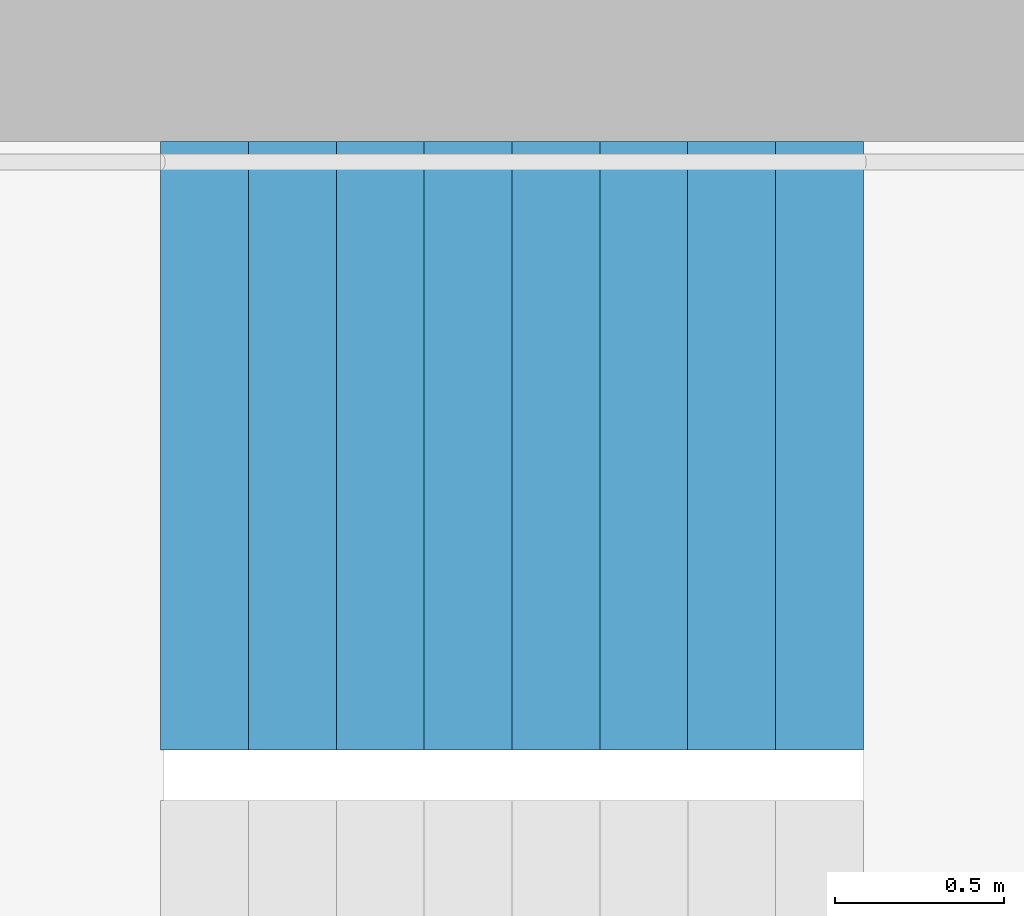
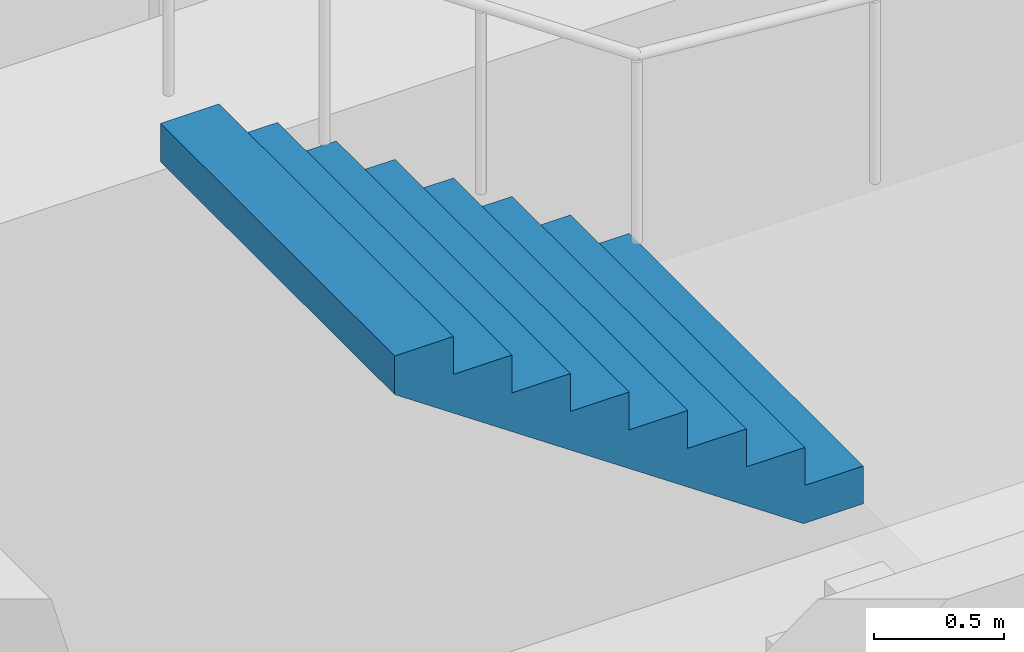
# One storey, part 23 of 34: 1 stair flight, 1 element without a shape of its own.
"""IFC4 building model written with IfcOpenShell, lengths in metres."""

from ifc_helpers import new_model, si_unit, direction, frame, origin, place, context, subcontext, project, spatial, triangles, material, type_object, element, aggregate, save


model = new_model("IFC4")

# Units and contexts
model_context = context("Model", 3, precision=1e-05, world=origin(), true_north=direction((0.0, 1.0)))
body_context = subcontext(model_context, "Body", "Model", "MODEL_VIEW")
ifc_project = project(units=[si_unit("LENGTHUNIT", "METRE"), si_unit("AREAUNIT", "SQUARE_METRE"), si_unit("VOLUMEUNIT", "CUBIC_METRE"), si_unit("PLANEANGLEUNIT", "RADIAN"), si_unit("MASSUNIT", "GRAM", prefix="KILO")], contexts=[model_context])

# Site, building, storey
site_placement = place(None, origin())
site = spatial("IfcSite", under=ifc_project, at=site_placement, CompositionType="ELEMENT")
building_placement = place(site_placement, origin())
building = spatial("IfcBuilding", under=site, at=building_placement, Name="Hakoniwa Tower and Hamabe Station Hall", CompositionType="ELEMENT")
storey_placement = place(building_placement, frame((0.0, 0.0, 94.60009765625)))
storey = spatial("IfcBuildingStorey", under=building, at=storey_placement, Name="L26", CompositionType="ELEMENT", Elevation=94.60009765625)

# Stair, stair flight
ifc_material_1 = material(Name="Concrete C40", Category="concrete")
stair_type = type_object("IfcStairType", Name="ESCAPE STAIR 1800", PredefinedType="HALF_TURN_STAIR", material=ifc_material_1)
stair_placement = place(storey_placement, origin())
stair = element("IfcStair", 1, at=stair_placement, inside=storey, type_object=stair_type, Name="Escape stair ST-1 L26", PredefinedType="HALF_TURN_STAIR")
ifc_material_2 = material(Name="Concrete C40", Category="concrete")
stair_flight_type = type_object("IfcStairFlightType", Name="STAIR FLIGHT 1800", PredefinedType="STRAIGHT", material=ifc_material_2)
stair_flight_placement = place(storey_placement, frame((-22.320068359375, 6.60009765625, 1.599853515625), z_axis=(0.0, 0.0, 1.0), x_axis=(-1.0, 0.0, 0.0)))
stair_flight = element("IfcStairFlight", 2, at=stair_flight_placement, type_object=stair_flight_type, Name="ST-1 flight 2", NumberOfRisers=9, NumberOfTreads=8, PredefinedType="STRAIGHT", RiserHeight=0.177777778, TreadLength=0.26, context=body_context, shape_type="Tessellation", body=[
    triangles([(0.0, 0.89990234375, 0.0), (0.260009765625, 0.89990234375, 0.0), (0.265625, 0.89990234375, 0.0), (0.52001953125, 0.89990234375, 0.174072265625), (0.780029296875, 0.89990234375, 0.351806640625), (1.0400390625, 0.89990234375, 0.529541015625), (1.300048828125, 0.89990234375, 0.707275390625), (1.56005859375, 0.89990234375, 0.885009765625), (1.820068359375, 0.89990234375, 1.062744140625), (2.080078125, 0.89990234375, 1.24072265625), (2.080078125, 0.89990234375, 1.422119140625), (1.820068359375, 0.89990234375, 1.422119140625), (1.820068359375, 0.89990234375, 1.244384765625), (1.56005859375, 0.89990234375, 1.244384765625), (1.56005859375, 0.89990234375, 1.066650390625), (1.300048828125, 0.89990234375, 1.066650390625), (1.300048828125, 0.89990234375, 0.888916015625), (1.0400390625, 0.89990234375, 0.888916015625), (1.0400390625, 0.89990234375, 0.711181640625), (0.780029296875, 0.89990234375, 0.711181640625), (0.780029296875, 0.89990234375, 0.533447265625), (0.52001953125, 0.89990234375, 0.533447265625), (0.52001953125, 0.89990234375, 0.35546875), (0.265625, 0.89990234375, 0.35546875), (0.260009765625, 0.89990234375, 0.35546875), (0.260009765625, 0.89990234375, 0.177734375), (0.0, 0.89990234375, 0.177734375), (0.0, 0.06005859375, 0.0), (0.260009765625, 0.06005859375, 0.0), (0.265625, 0.06005859375, 0.0), (0.52001953125, 0.06005859375, 0.174072265625), (0.780029296875, 0.06005859375, 0.351806640625), (1.0400390625, 0.06005859375, 0.529541015625), (1.300048828125, 0.06005859375, 0.707275390625), (1.56005859375, 0.06005859375, 0.885009765625), (1.820068359375, 0.06005859375, 1.062744140625), (2.080078125, 0.06005859375, 1.24072265625), (2.080078125, 0.06005859375, 1.422119140625), (1.820068359375, 0.06005859375, 1.422119140625), (1.820068359375, 0.06005859375, 1.244384765625), (1.56005859375, 0.06005859375, 1.244384765625), (1.56005859375, 0.06005859375, 1.066650390625), (1.300048828125, 0.06005859375, 1.066650390625), (1.300048828125, 0.06005859375, 0.888916015625), (1.0400390625, 0.06005859375, 0.888916015625), (1.0400390625, 0.06005859375, 0.711181640625), (0.780029296875, 0.06005859375, 0.711181640625), (0.780029296875, 0.06005859375, 0.533447265625), (0.52001953125, 0.06005859375, 0.533447265625), (0.52001953125, 0.06005859375, 0.35546875), (0.265625, 0.06005859375, 0.35546875), (0.260009765625, 0.06005859375, 0.35546875), (0.260009765625, 0.06005859375, 0.177734375), (0.0, 0.06005859375, 0.177734375), (0.0, 0.04296875, 0.0), (0.260009765625, 0.04296875, 0.0), (0.265625, 0.04296875, 0.0), (0.52001953125, 0.04296875, 0.174072265625), (0.780029296875, 0.04296875, 0.351806640625), (1.0400390625, 0.04296875, 0.529541015625), (1.300048828125, 0.04296875, 0.707275390625), (1.56005859375, 0.04296875, 0.885009765625), (1.820068359375, 0.04296875, 1.062744140625), (2.080078125, 0.04296875, 1.24072265625), (2.080078125, 0.04296875, 1.422119140625), (1.820068359375, 0.04296875, 1.422119140625), (1.820068359375, 0.04296875, 1.244384765625), (1.56005859375, 0.04296875, 1.244384765625), (1.56005859375, 0.04296875, 1.066650390625), (1.300048828125, 0.04296875, 1.066650390625), (1.300048828125, 0.04296875, 0.888916015625), (1.0400390625, 0.04296875, 0.888916015625), (1.0400390625, 0.04296875, 0.711181640625), (0.780029296875, 0.04296875, 0.711181640625), (0.780029296875, 0.04296875, 0.533447265625), (0.52001953125, 0.04296875, 0.533447265625), (0.52001953125, 0.04296875, 0.35546875), (0.265625, 0.04296875, 0.35546875), (0.260009765625, 0.04296875, 0.35546875), (0.260009765625, 0.04296875, 0.177734375), (0.0, 0.04296875, 0.177734375), (0.0, 0.025634765625, 0.0), (0.260009765625, 0.025634765625, 0.0), (0.265625, 0.025634765625, 0.0), (0.52001953125, 0.025634765625, 0.174072265625), (0.780029296875, 0.025634765625, 0.351806640625), (1.0400390625, 0.025634765625, 0.529541015625), (1.300048828125, 0.025634765625, 0.707275390625), (1.56005859375, 0.025634765625, 0.885009765625), (1.820068359375, 0.025634765625, 1.062744140625), (2.080078125, 0.025634765625, 1.24072265625), (2.080078125, 0.025634765625, 1.422119140625), (1.820068359375, 0.025634765625, 1.422119140625), (1.820068359375, 0.025634765625, 1.244384765625), (1.56005859375, 0.025634765625, 1.244384765625), (1.56005859375, 0.025634765625, 1.066650390625), (1.300048828125, 0.025634765625, 1.066650390625), (1.300048828125, 0.025634765625, 0.888916015625), (1.0400390625, 0.025634765625, 0.888916015625), (1.0400390625, 0.025634765625, 0.711181640625), (0.780029296875, 0.025634765625, 0.711181640625), (0.780029296875, 0.025634765625, 0.533447265625), (0.52001953125, 0.025634765625, 0.533447265625), (0.52001953125, 0.025634765625, 0.35546875), (0.265625, 0.025634765625, 0.35546875), (0.260009765625, 0.025634765625, 0.35546875), (0.260009765625, 0.025634765625, 0.177734375), (0.0, 0.025634765625, 0.177734375), (0.0, 0.008544921875, 0.0), (0.260009765625, 0.008544921875, 0.0), (0.265625, 0.008544921875, 0.0), (0.52001953125, 0.008544921875, 0.174072265625), (0.780029296875, 0.008544921875, 0.351806640625), (1.0400390625, 0.008544921875, 0.529541015625), (1.300048828125, 0.008544921875, 0.707275390625), (1.56005859375, 0.008544921875, 0.885009765625), (1.820068359375, 0.008544921875, 1.062744140625), (2.080078125, 0.008544921875, 1.24072265625), (2.080078125, 0.008544921875, 1.422119140625), (1.820068359375, 0.008544921875, 1.422119140625), (1.820068359375, 0.008544921875, 1.244384765625), (1.56005859375, 0.008544921875, 1.244384765625), (1.56005859375, 0.008544921875, 1.066650390625), (1.300048828125, 0.008544921875, 1.066650390625), (1.300048828125, 0.008544921875, 0.888916015625), (1.0400390625, 0.008544921875, 0.888916015625), (1.0400390625, 0.008544921875, 0.711181640625), (0.780029296875, 0.008544921875, 0.711181640625), (0.780029296875, 0.008544921875, 0.533447265625), (0.52001953125, 0.008544921875, 0.533447265625), (0.52001953125, 0.008544921875, 0.35546875), (0.265625, 0.008544921875, 0.35546875), (0.260009765625, 0.008544921875, 0.35546875), (0.260009765625, 0.008544921875, 0.177734375), (0.0, 0.008544921875, 0.177734375), (0.0, -0.008544921875, 0.0), (0.260009765625, -0.008544921875, 0.0), (0.265625, -0.008544921875, 0.0), (0.52001953125, -0.008544921875, 0.174072265625), (0.780029296875, -0.008544921875, 0.351806640625), (1.0400390625, -0.008544921875, 0.529541015625), (1.300048828125, -0.008544921875, 0.707275390625), (1.56005859375, -0.008544921875, 0.885009765625), (1.820068359375, -0.008544921875, 1.062744140625), (2.080078125, -0.008544921875, 1.24072265625), (2.080078125, -0.008544921875, 1.422119140625), (1.820068359375, -0.008544921875, 1.422119140625), (1.820068359375, -0.008544921875, 1.244384765625), (1.56005859375, -0.008544921875, 1.244384765625), (1.56005859375, -0.008544921875, 1.066650390625), (1.300048828125, -0.008544921875, 1.066650390625), (1.300048828125, -0.008544921875, 0.888916015625), (1.0400390625, -0.008544921875, 0.888916015625), (1.0400390625, -0.008544921875, 0.711181640625), (0.780029296875, -0.008544921875, 0.711181640625), (0.780029296875, -0.008544921875, 0.533447265625), (0.52001953125, -0.008544921875, 0.533447265625), (0.52001953125, -0.008544921875, 0.35546875), (0.265625, -0.008544921875, 0.35546875), (0.260009765625, -0.008544921875, 0.35546875), (0.260009765625, -0.008544921875, 0.177734375), (0.0, -0.008544921875, 0.177734375), (0.0, -0.025634765625, 0.0), (0.260009765625, -0.025634765625, 0.0), (0.265625, -0.025634765625, 0.0), (0.52001953125, -0.025634765625, 0.174072265625), (0.780029296875, -0.025634765625, 0.351806640625), (1.0400390625, -0.025634765625, 0.529541015625), (1.300048828125, -0.025634765625, 0.707275390625), (1.56005859375, -0.025634765625, 0.885009765625), (1.820068359375, -0.025634765625, 1.062744140625), (2.080078125, -0.025634765625, 1.24072265625), (2.080078125, -0.025634765625, 1.422119140625), (1.820068359375, -0.025634765625, 1.422119140625), (1.820068359375, -0.025634765625, 1.244384765625), (1.56005859375, -0.025634765625, 1.244384765625), (1.56005859375, -0.025634765625, 1.066650390625), (1.300048828125, -0.025634765625, 1.066650390625), (1.300048828125, -0.025634765625, 0.888916015625), (1.0400390625, -0.025634765625, 0.888916015625), (1.0400390625, -0.025634765625, 0.711181640625), (0.780029296875, -0.025634765625, 0.711181640625), (0.780029296875, -0.025634765625, 0.533447265625), (0.52001953125, -0.025634765625, 0.533447265625), (0.52001953125, -0.025634765625, 0.35546875), (0.265625, -0.025634765625, 0.35546875), (0.260009765625, -0.025634765625, 0.35546875), (0.260009765625, -0.025634765625, 0.177734375), (0.0, -0.025634765625, 0.177734375), (0.0, -0.04296875, 0.0), (0.260009765625, -0.04296875, 0.0), (0.265625, -0.04296875, 0.0), (0.52001953125, -0.04296875, 0.174072265625), (0.780029296875, -0.04296875, 0.351806640625), (1.0400390625, -0.04296875, 0.529541015625), (1.300048828125, -0.04296875, 0.707275390625), (1.56005859375, -0.04296875, 0.885009765625), (1.820068359375, -0.04296875, 1.062744140625), (2.080078125, -0.04296875, 1.24072265625), (2.080078125, -0.04296875, 1.422119140625), (1.820068359375, -0.04296875, 1.422119140625), (1.820068359375, -0.04296875, 1.244384765625), (1.56005859375, -0.04296875, 1.244384765625), (1.56005859375, -0.04296875, 1.066650390625), (1.300048828125, -0.04296875, 1.066650390625), (1.300048828125, -0.04296875, 0.888916015625), (1.0400390625, -0.04296875, 0.888916015625), (1.0400390625, -0.04296875, 0.711181640625), (0.780029296875, -0.04296875, 0.711181640625), (0.780029296875, -0.04296875, 0.533447265625), (0.52001953125, -0.04296875, 0.533447265625), (0.52001953125, -0.04296875, 0.35546875), (0.265625, -0.04296875, 0.35546875), (0.260009765625, -0.04296875, 0.35546875), (0.260009765625, -0.04296875, 0.177734375), (0.0, -0.04296875, 0.177734375), (0.0, -0.06005859375, 0.0), (0.260009765625, -0.06005859375, 0.0), (0.265625, -0.06005859375, 0.0), (0.52001953125, -0.06005859375, 0.174072265625), (0.780029296875, -0.06005859375, 0.351806640625), (1.0400390625, -0.06005859375, 0.529541015625), (1.300048828125, -0.06005859375, 0.707275390625), (1.56005859375, -0.06005859375, 0.885009765625), (1.820068359375, -0.06005859375, 1.062744140625), (2.080078125, -0.06005859375, 1.24072265625), (2.080078125, -0.06005859375, 1.422119140625), (1.820068359375, -0.06005859375, 1.422119140625), (1.820068359375, -0.06005859375, 1.244384765625), (1.56005859375, -0.06005859375, 1.244384765625), (1.56005859375, -0.06005859375, 1.066650390625), (1.300048828125, -0.06005859375, 1.066650390625), (1.300048828125, -0.06005859375, 0.888916015625), (1.0400390625, -0.06005859375, 0.888916015625), (1.0400390625, -0.06005859375, 0.711181640625), (0.780029296875, -0.06005859375, 0.711181640625), (0.780029296875, -0.06005859375, 0.533447265625), (0.52001953125, -0.06005859375, 0.533447265625), (0.52001953125, -0.06005859375, 0.35546875), (0.265625, -0.06005859375, 0.35546875), (0.260009765625, -0.06005859375, 0.35546875), (0.260009765625, -0.06005859375, 0.177734375), (0.0, -0.06005859375, 0.177734375), (0.0, -0.89990234375, 0.0), (0.260009765625, -0.89990234375, 0.0), (0.265625, -0.89990234375, 0.0), (0.52001953125, -0.89990234375, 0.174072265625), (0.780029296875, -0.89990234375, 0.351806640625), (1.0400390625, -0.89990234375, 0.529541015625), (1.300048828125, -0.89990234375, 0.707275390625), (1.56005859375, -0.89990234375, 0.885009765625), (1.820068359375, -0.89990234375, 1.062744140625), (2.080078125, -0.89990234375, 1.24072265625), (2.080078125, -0.89990234375, 1.422119140625), (1.820068359375, -0.89990234375, 1.422119140625), (1.820068359375, -0.89990234375, 1.244384765625), (1.56005859375, -0.89990234375, 1.244384765625), (1.56005859375, -0.89990234375, 1.066650390625), (1.300048828125, -0.89990234375, 1.066650390625), (1.300048828125, -0.89990234375, 0.888916015625), (1.0400390625, -0.89990234375, 0.888916015625), (1.0400390625, -0.89990234375, 0.711181640625), (0.780029296875, -0.89990234375, 0.711181640625), (0.780029296875, -0.89990234375, 0.533447265625), (0.52001953125, -0.89990234375, 0.533447265625), (0.52001953125, -0.89990234375, 0.35546875), (0.265625, -0.89990234375, 0.35546875), (0.260009765625, -0.89990234375, 0.35546875), (0.260009765625, -0.89990234375, 0.177734375), (0.0, -0.89990234375, 0.177734375)], [[2, 27, 26], [245, 269, 270], [2, 1, 27], [245, 270, 244], [3, 25, 24], [246, 267, 268], [3, 26, 25], [246, 268, 269], [3, 2, 26], [246, 269, 245], [4, 24, 23], [247, 266, 267], [4, 3, 24], [247, 267, 246], [5, 22, 21], [248, 264, 265], [5, 23, 22], [248, 265, 266], [5, 4, 23], [248, 266, 247], [6, 20, 19], [249, 262, 263], [6, 21, 20], [249, 263, 264], [6, 5, 21], [249, 264, 248], [7, 18, 17], [250, 260, 261], [7, 19, 18], [250, 261, 262], [7, 6, 19], [250, 262, 249], [8, 16, 15], [251, 258, 259], [8, 17, 16], [251, 259, 260], [8, 7, 17], [251, 260, 250], [9, 14, 13], [252, 256, 257], [9, 15, 14], [252, 257, 258], [9, 8, 15], [252, 258, 251], [10, 12, 11], [253, 254, 255], [10, 13, 12], [253, 255, 256], [10, 9, 13], [253, 256, 252], [1, 2, 29], [1, 29, 28], [28, 29, 56], [28, 56, 55], [55, 56, 83], [55, 83, 82], [82, 83, 110], [82, 110, 109], [109, 110, 137], [109, 137, 136], [136, 137, 164], [136, 164, 163], [163, 164, 191], [163, 191, 190], [190, 191, 218], [190, 218, 217], [217, 218, 245], [217, 245, 244], [2, 3, 30], [2, 30, 29], [29, 30, 57], [29, 57, 56], [56, 57, 84], [56, 84, 83], [83, 84, 111], [83, 111, 110], [110, 111, 138], [110, 138, 137], [137, 138, 165], [137, 165, 164], [164, 165, 192], [164, 192, 191], [191, 192, 219], [191, 219, 218], [218, 219, 246], [218, 246, 245], [3, 4, 31], [3, 31, 30], [30, 31, 58], [30, 58, 57], [57, 58, 85], [57, 85, 84], [84, 85, 112], [84, 112, 111], [111, 112, 139], [111, 139, 138], [138, 139, 166], [138, 166, 165], [165, 166, 193], [165, 193, 192], [192, 193, 220], [192, 220, 219], [219, 220, 247], [219, 247, 246], [4, 5, 32], [4, 32, 31], [31, 32, 59], [31, 59, 58], [58, 59, 86], [58, 86, 85], [85, 86, 113], [85, 113, 112], [112, 113, 140], [112, 140, 139], [139, 140, 167], [139, 167, 166], [166, 167, 194], [166, 194, 193], [193, 194, 221], [193, 221, 220], [220, 221, 248], [220, 248, 247], [5, 6, 33], [5, 33, 32], [32, 33, 60], [32, 60, 59], [59, 60, 87], [59, 87, 86], [86, 87, 114], [86, 114, 113], [113, 114, 141], [113, 141, 140], [140, 141, 168], [140, 168, 167], [167, 168, 195], [167, 195, 194], [194, 195, 222], [194, 222, 221], [221, 222, 249], [221, 249, 248], [6, 7, 34], [6, 34, 33], [33, 34, 61], [33, 61, 60], [60, 61, 88], [60, 88, 87], [87, 88, 115], [87, 115, 114], [114, 115, 142], [114, 142, 141], [141, 142, 169], [141, 169, 168], [168, 169, 196], [168, 196, 195], [195, 196, 223], [195, 223, 222], [222, 223, 250], [222, 250, 249], [7, 8, 35], [7, 35, 34], [34, 35, 62], [34, 62, 61], [61, 62, 89], [61, 89, 88], [88, 89, 116], [88, 116, 115], [115, 116, 143], [115, 143, 142], [142, 143, 170], [142, 170, 169], [169, 170, 197], [169, 197, 196], [196, 197, 224], [196, 224, 223], [223, 224, 251], [223, 251, 250], [8, 9, 36], [8, 36, 35], [35, 36, 63], [35, 63, 62], [62, 63, 90], [62, 90, 89], [89, 90, 117], [89, 117, 116], [116, 117, 144], [116, 144, 143], [143, 144, 171], [143, 171, 170], [170, 171, 198], [170, 198, 197], [197, 198, 225], [197, 225, 224], [224, 225, 252], [224, 252, 251], [9, 10, 37], [9, 37, 36], [36, 37, 64], [36, 64, 63], [63, 64, 91], [63, 91, 90], [90, 91, 118], [90, 118, 117], [117, 118, 145], [117, 145, 144], [144, 145, 172], [144, 172, 171], [171, 172, 199], [171, 199, 198], [198, 199, 226], [198, 226, 225], [225, 226, 253], [225, 253, 252], [10, 11, 38], [10, 38, 37], [37, 38, 65], [37, 65, 64], [64, 65, 92], [64, 92, 91], [91, 92, 119], [91, 119, 118], [118, 119, 146], [118, 146, 145], [145, 146, 173], [145, 173, 172], [172, 173, 200], [172, 200, 199], [199, 200, 227], [199, 227, 226], [226, 227, 254], [226, 254, 253], [11, 12, 39], [11, 39, 38], [38, 39, 66], [38, 66, 65], [65, 66, 93], [65, 93, 92], [92, 93, 120], [92, 120, 119], [119, 120, 147], [119, 147, 146], [146, 147, 174], [146, 174, 173], [173, 174, 201], [173, 201, 200], [200, 201, 228], [200, 228, 227], [227, 228, 255], [227, 255, 254], [12, 13, 40], [12, 40, 39], [39, 40, 67], [39, 67, 66], [66, 67, 94], [66, 94, 93], [93, 94, 121], [93, 121, 120], [120, 121, 148], [120, 148, 147], [147, 148, 175], [147, 175, 174], [174, 175, 202], [174, 202, 201], [201, 202, 229], [201, 229, 228], [228, 229, 256], [228, 256, 255], [13, 14, 41], [13, 41, 40], [40, 41, 68], [40, 68, 67], [67, 68, 95], [67, 95, 94], [94, 95, 122], [94, 122, 121], [121, 122, 149], [121, 149, 148], [148, 149, 176], [148, 176, 175], [175, 176, 203], [175, 203, 202], [202, 203, 230], [202, 230, 229], [229, 230, 257], [229, 257, 256], [14, 15, 42], [14, 42, 41], [41, 42, 69], [41, 69, 68], [68, 69, 96], [68, 96, 95], [95, 96, 123], [95, 123, 122], [122, 123, 150], [122, 150, 149], [149, 150, 177], [149, 177, 176], [176, 177, 204], [176, 204, 203], [203, 204, 231], [203, 231, 230], [230, 231, 258], [230, 258, 257], [15, 16, 43], [15, 43, 42], [42, 43, 70], [42, 70, 69], [69, 70, 97], [69, 97, 96], [96, 97, 124], [96, 124, 123], [123, 124, 151], [123, 151, 150], [150, 151, 178], [150, 178, 177], [177, 178, 205], [177, 205, 204], [204, 205, 232], [204, 232, 231], [231, 232, 259], [231, 259, 258], [16, 17, 44], [16, 44, 43], [43, 44, 71], [43, 71, 70], [70, 71, 98], [70, 98, 97], [97, 98, 125], [97, 125, 124], [124, 125, 152], [124, 152, 151], [151, 152, 179], [151, 179, 178], [178, 179, 206], [178, 206, 205], [205, 206, 233], [205, 233, 232], [232, 233, 260], [232, 260, 259], [17, 18, 45], [17, 45, 44], [44, 45, 72], [44, 72, 71], [71, 72, 99], [71, 99, 98], [98, 99, 126], [98, 126, 125], [125, 126, 153], [125, 153, 152], [152, 153, 180], [152, 180, 179], [179, 180, 207], [179, 207, 206], [206, 207, 234], [206, 234, 233], [233, 234, 261], [233, 261, 260], [18, 19, 46], [18, 46, 45], [45, 46, 73], [45, 73, 72], [72, 73, 100], [72, 100, 99], [99, 100, 127], [99, 127, 126], [126, 127, 154], [126, 154, 153], [153, 154, 181], [153, 181, 180], [180, 181, 208], [180, 208, 207], [207, 208, 235], [207, 235, 234], [234, 235, 262], [234, 262, 261], [19, 20, 47], [19, 47, 46], [46, 47, 74], [46, 74, 73], [73, 74, 101], [73, 101, 100], [100, 101, 128], [100, 128, 127], [127, 128, 155], [127, 155, 154], [154, 155, 182], [154, 182, 181], [181, 182, 209], [181, 209, 208], [208, 209, 236], [208, 236, 235], [235, 236, 263], [235, 263, 262], [20, 21, 48], [20, 48, 47], [47, 48, 75], [47, 75, 74], [74, 75, 102], [74, 102, 101], [101, 102, 129], [101, 129, 128], [128, 129, 156], [128, 156, 155], [155, 156, 183], [155, 183, 182], [182, 183, 210], [182, 210, 209], [209, 210, 237], [209, 237, 236], [236, 237, 264], [236, 264, 263], [21, 22, 49], [21, 49, 48], [48, 49, 76], [48, 76, 75], [75, 76, 103], [75, 103, 102], [102, 103, 130], [102, 130, 129], [129, 130, 157], [129, 157, 156], [156, 157, 184], [156, 184, 183], [183, 184, 211], [183, 211, 210], [210, 211, 238], [210, 238, 237], [237, 238, 265], [237, 265, 264], [22, 23, 50], [22, 50, 49], [49, 50, 77], [49, 77, 76], [76, 77, 104], [76, 104, 103], [103, 104, 131], [103, 131, 130], [130, 131, 158], [130, 158, 157], [157, 158, 185], [157, 185, 184], [184, 185, 212], [184, 212, 211], [211, 212, 239], [211, 239, 238], [238, 239, 266], [238, 266, 265], [23, 24, 51], [23, 51, 50], [50, 51, 78], [50, 78, 77], [77, 78, 105], [77, 105, 104], [104, 105, 132], [104, 132, 131], [131, 132, 159], [131, 159, 158], [158, 159, 186], [158, 186, 185], [185, 186, 213], [185, 213, 212], [212, 213, 240], [212, 240, 239], [239, 240, 267], [239, 267, 266], [24, 25, 52], [24, 52, 51], [51, 52, 79], [51, 79, 78], [78, 79, 106], [78, 106, 105], [105, 106, 133], [105, 133, 132], [132, 133, 160], [132, 160, 159], [159, 160, 187], [159, 187, 186], [186, 187, 214], [186, 214, 213], [213, 214, 241], [213, 241, 240], [240, 241, 268], [240, 268, 267], [25, 26, 53], [25, 53, 52], [52, 53, 80], [52, 80, 79], [79, 80, 107], [79, 107, 106], [106, 107, 134], [106, 134, 133], [133, 134, 161], [133, 161, 160], [160, 161, 188], [160, 188, 187], [187, 188, 215], [187, 215, 214], [214, 215, 242], [214, 242, 241], [241, 242, 269], [241, 269, 268], [26, 27, 54], [26, 54, 53], [53, 54, 81], [53, 81, 80], [80, 81, 108], [80, 108, 107], [107, 108, 135], [107, 135, 134], [134, 135, 162], [134, 162, 161], [161, 162, 189], [161, 189, 188], [188, 189, 216], [188, 216, 215], [215, 216, 243], [215, 243, 242], [242, 243, 270], [242, 270, 269], [27, 1, 28], [27, 28, 54], [54, 28, 55], [54, 55, 81], [81, 55, 82], [81, 82, 108], [108, 82, 109], [108, 109, 135], [135, 109, 136], [135, 136, 162], [162, 136, 163], [162, 163, 189], [189, 163, 190], [189, 190, 216], [216, 190, 217], [216, 217, 243], [243, 217, 244], [243, 244, 270]], closed=True),
])
aggregate(stair, [stair_flight])

save(model, "model.ifc")
